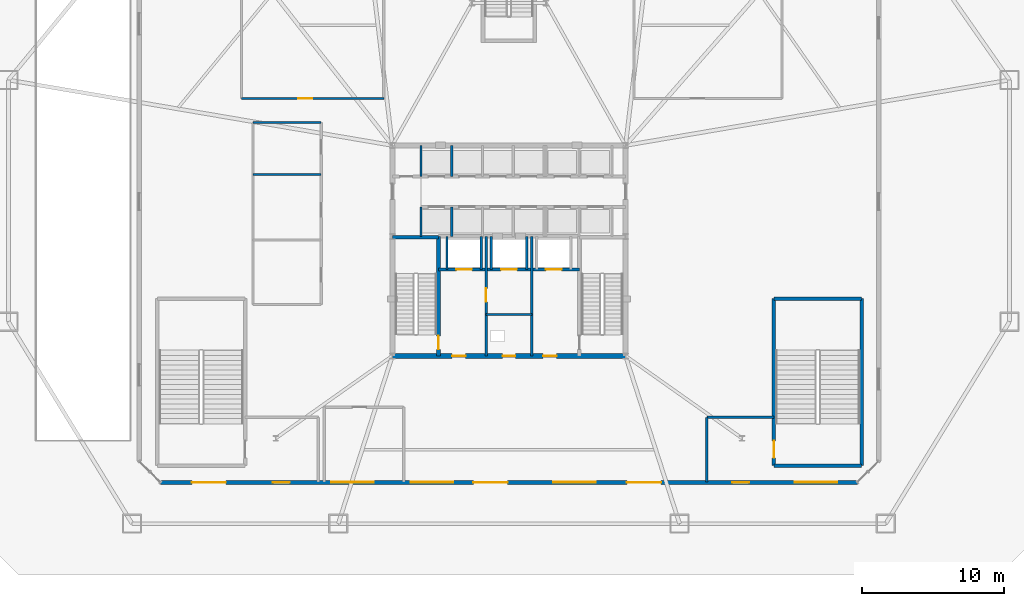
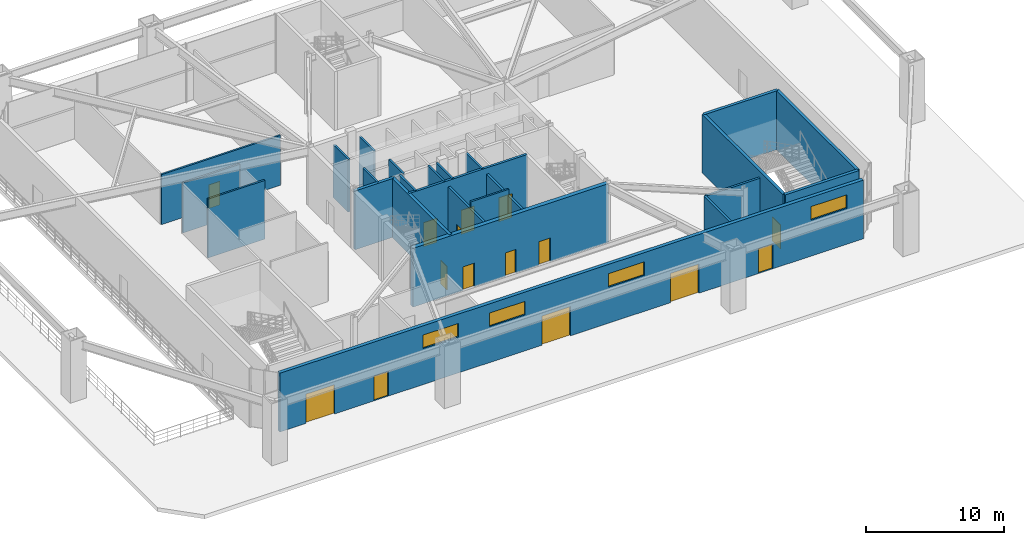
# One storey, part 15 of 20: 25 walls, 15 doors, 4 windows, 19 openings.
"""IFC4 building model written with IfcOpenShell, lengths in metres."""

from ifc_helpers import new_model, si_unit, direction, frame, frame_2d, origin, place, context, subcontext, project, spatial, rectangle, extrude, material, layer, layer_set, type_object, element, fill, save


model = new_model("IFC4")

# Units and contexts
model_context = context("Model", 3, precision=1e-05, world=origin(), true_north=direction((0.0, 1.0)))
body_context = subcontext(model_context, "Body", "Model", "MODEL_VIEW")
ifc_project = project(units=[si_unit("LENGTHUNIT", "METRE"), si_unit("AREAUNIT", "SQUARE_METRE"), si_unit("VOLUMEUNIT", "CUBIC_METRE"), si_unit("PLANEANGLEUNIT", "RADIAN"), si_unit("MASSUNIT", "GRAM", prefix="KILO")], contexts=[model_context])

# Site, building, storey
site_placement = place(None, origin())
site = spatial("IfcSite", under=ifc_project, at=site_placement, CompositionType="ELEMENT")
building_placement = place(site_placement, origin())
building = spatial("IfcBuilding", under=site, at=building_placement, Name="Varakhsha Concourse Tower", CompositionType="ELEMENT")
storey_placement = place(building_placement, origin())
storey = spatial("IfcBuildingStorey", under=building, at=storey_placement, Name="L01", CompositionType="ELEMENT", Elevation=0.0)

# Wall, openings, doors
ifc_material_1 = material(Name="Concrete fc 65 MPa", Category="concrete")
ifc_layer_1 = layer(ifc_material_1, 0.35009765625, Name="WL-CORE-350")
ifc_layer_set_1 = layer_set([ifc_layer_1], Name="Concrete fc 65 MPa")
wall_type_1 = type_object("IfcWallType", Name="WL-CORE-350", PredefinedType="SHEAR", material=ifc_layer_set_1)
wall_1_placement = place(storey_placement, frame((31.800048828125, 16.39990234375, 0.0), z_axis=(0.0, 0.0, 1.0), x_axis=(1.0, 0.0, 0.0)))
wall_1 = element("IfcWall", 1, at=wall_1_placement, inside=storey, type_object=wall_type_1, Name="L01 Wall CWALL-S-L01", PredefinedType="SHEAR", context=body_context, shape_type="SweptSolid", body=[
    extrude(rectangle(XDim=16.39990234375, YDim=0.35009765625, at=frame_2d((8.199951171875, 0.0))), origin(), (0.0, 0.0, 1.0), 5.219970703125),
])
opening_1_placement = place(wall_1_placement, frame((7.75, 0.0, 0.0)))
opening_1 = element("IfcOpeningElement", 2, at=opening_1_placement, cuts=wall_1, Name="Opening DF-06", PredefinedType="OPENING", context=body_context, shape_type="SweptSolid", body=[
    extrude(rectangle(XDim=0.89990234375, YDim=2.10009765625, at=frame_2d((0.449951171875, 1.050048828125))), frame((0.0, 0.18505859375, 0.0), z_axis=(0.0, -1.0, 0.0), x_axis=(1.0, 0.0, 0.0)), (0.0, 0.0, 1.0), 0.3701171875),
])
opening_2_placement = place(wall_1_placement, frame((4.199951171875, 0.0, 0.0)))
opening_2 = element("IfcOpeningElement", 3, at=opening_2_placement, cuts=wall_1, Name="Opening DF-05", PredefinedType="OPENING", context=body_context, shape_type="SweptSolid", body=[
    extrude(rectangle(XDim=0.949951171875, YDim=2.10009765625, at=frame_2d((0.47509765625, 1.050048828125))), frame((0.0, 0.18505859375, 0.0), z_axis=(0.0, -1.0, 0.0), x_axis=(1.0, 0.0, 0.0)), (0.0, 0.0, 1.0), 0.3701171875),
])
opening_3_placement = place(wall_1_placement, frame((10.60009765625, 0.0, 0.0)))
opening_3 = element("IfcOpeningElement", 4, at=opening_3_placement, cuts=wall_1, Name="Opening DF-05", PredefinedType="OPENING", context=body_context, shape_type="SweptSolid", body=[
    extrude(rectangle(XDim=0.949951171875, YDim=2.10009765625, at=frame_2d((0.47509765625, 1.050048828125))), frame((0.0, 0.18505859375, 0.0), z_axis=(0.0, -1.0, 0.0), x_axis=(1.0, 0.0, 0.0)), (0.0, 0.0, 1.0), 0.3701171875),
])
ifc_material_2 = material(Name="Hollow Galvanised Steel Fire Door Assembly", Category="steel")
door_type_1 = type_object("IfcDoorType", Name="DR-FD60-900", OperationType="NOTDEFINED", PredefinedType="DOOR", material=ifc_material_2)
door_1_placement = place(opening_1_placement, origin())
door_1 = element("IfcDoor", 5, at=door_1_placement, inside=storey, type_object=door_type_1, Name="L01 Electrical Riser Access Door", OperationType="SINGLE_SWING_LEFT", OverallHeight=2.10009765625, OverallWidth=0.89990234375, PredefinedType="DOOR", context=body_context, shape_type="SweptSolid", body=[
    extrude(rectangle(XDim=0.89990234375, YDim=2.10009765625, at=frame_2d((0.449951171875, 1.050048828125))), frame((0.0, 0.02490234375, 0.0), z_axis=(0.0, -1.0, 0.0), x_axis=(1.0, 0.0, 0.0)), (0.0, 0.0, 1.0), 0.050048828125),
])
fill(opening_1, door_1)
door_type_2 = type_object("IfcDoorType", Name="DR-FD60-950", OperationType="NOTDEFINED", PredefinedType="DOOR", material=ifc_material_2)
door_2_placement = place(opening_2_placement, origin())
door_2 = element("IfcDoor", 6, at=door_2_placement, inside=storey, type_object=door_type_2, Name="L01 Firefighting Lobby West Door", OperationType="SINGLE_SWING_RIGHT", OverallHeight=2.10009765625, OverallWidth=0.949951171875, PredefinedType="DOOR", context=body_context, shape_type="SweptSolid", body=[
    extrude(rectangle(XDim=0.949951171875, YDim=2.10009765625, at=frame_2d((0.47509765625, 1.050048828125))), frame((0.0, 0.02490234375, 0.0), z_axis=(0.0, -1.0, 0.0), x_axis=(1.0, 0.0, 0.0)), (0.0, 0.0, 1.0), 0.050048828125),
])
fill(opening_2, door_2)
door_3_placement = place(opening_3_placement, origin())
door_3 = element("IfcDoor", 7, at=door_3_placement, inside=storey, type_object=door_type_2, Name="L01 Firefighting Lobby East Door", OperationType="SINGLE_SWING_LEFT", OverallHeight=2.10009765625, OverallWidth=0.949951171875, PredefinedType="DOOR", context=body_context, shape_type="SweptSolid", body=[
    extrude(rectangle(XDim=0.949951171875, YDim=2.10009765625, at=frame_2d((0.47509765625, 1.050048828125))), frame((0.0, 0.02490234375, 0.0), z_axis=(0.0, -1.0, 0.0), x_axis=(1.0, 0.0, 0.0)), (0.0, 0.0, 1.0), 0.050048828125),
])
fill(opening_3, door_3)

# Wall, openings, doors, windows
ifc_material_3 = material(Name="Concrete fc 45 MPa", Category="concrete")
ifc_layer_2 = layer(ifc_material_3, 0.300048828125, Name="WL-EXT-POD-300")
ifc_layer_set_2 = layer_set([ifc_layer_2], Name="Concrete fc 45 MPa")
wall_type_2 = type_object("IfcWallType", Name="WL-EXT-POD-300", PredefinedType="STANDARD", material=ifc_layer_set_2)
wall_2_placement = place(storey_placement, frame((15.5, 7.5, 0.0), z_axis=(0.0, 0.0, 1.0), x_axis=(1.0, 0.0, 0.0)))
wall_2 = element("IfcWall", 8, at=wall_2_placement, inside=storey, type_object=wall_type_2, Name="L01 Concourse Architectural Wall 01", PredefinedType="STANDARD", context=body_context, shape_type="SweptSolid", body=[
    extrude(rectangle(XDim=49.0, YDim=0.300048828125, at=frame_2d((24.5, 0.0))), origin(), (0.0, 0.0, 1.0), 5.219970703125),
])
opening_4_placement = place(wall_2_placement, frame((2.199951171875, 0.0, 0.0)))
opening_4 = element("IfcOpeningElement", 9, at=opening_4_placement, cuts=wall_2, Name="Opening DE-01", PredefinedType="OPENING", context=body_context, shape_type="SweptSolid", body=[
    extrude(rectangle(XDim=2.39990234375, YDim=2.60009765625, at=frame_2d((1.199951171875, 1.300048828125))), frame((0.0, 0.159912109375, 0.0), z_axis=(0.0, -1.0, 0.0), x_axis=(1.0, 0.0, 0.0)), (0.0, 0.0, 1.0), 0.320068359375),
])
opening_5_placement = place(wall_2_placement, frame((22.0, 0.0, 0.0)))
opening_5 = element("IfcOpeningElement", 10, at=opening_5_placement, cuts=wall_2, Name="Opening DE-01", PredefinedType="OPENING", context=body_context, shape_type="SweptSolid", body=[
    extrude(rectangle(XDim=2.39990234375, YDim=2.60009765625, at=frame_2d((1.199951171875, 1.300048828125))), frame((0.0, 0.159912109375, 0.0), z_axis=(0.0, -1.0, 0.0), x_axis=(1.0, 0.0, 0.0)), (0.0, 0.0, 1.0), 0.320068359375),
])
opening_6_placement = place(wall_2_placement, frame((32.800048828125, 0.0, 0.0)))
opening_6 = element("IfcOpeningElement", 11, at=opening_6_placement, cuts=wall_2, Name="Opening DE-01", PredefinedType="OPENING", context=body_context, shape_type="SweptSolid", body=[
    extrude(rectangle(XDim=2.39990234375, YDim=2.60009765625, at=frame_2d((1.199951171875, 1.300048828125))), frame((0.0, 0.159912109375, 0.0), z_axis=(0.0, -1.0, 0.0), x_axis=(1.0, 0.0, 0.0)), (0.0, 0.0, 1.0), 0.320068359375),
])
opening_7_placement = place(wall_2_placement, frame((7.89990234375, 0.0, 0.0)))
opening_7 = element("IfcOpeningElement", 12, at=opening_7_placement, cuts=wall_2, Name="Opening DX-01", PredefinedType="OPENING", context=body_context, shape_type="SweptSolid", body=[
    extrude(rectangle(XDim=1.199951171875, YDim=2.199951171875, at=frame_2d((0.60009765625, 1.10009765625))), frame((0.0, 0.159912109375, 0.0), z_axis=(0.0, -1.0, 0.0), x_axis=(1.0, 0.0, 0.0)), (0.0, 0.0, 1.0), 0.320068359375),
])
opening_8_placement = place(wall_2_placement, frame((40.199951171875, 0.0, 0.0)))
opening_8 = element("IfcOpeningElement", 13, at=opening_8_placement, cuts=wall_2, Name="Opening DX-01", PredefinedType="OPENING", context=body_context, shape_type="SweptSolid", body=[
    extrude(rectangle(XDim=1.199951171875, YDim=2.199951171875, at=frame_2d((0.60009765625, 1.10009765625))), frame((0.0, 0.159912109375, 0.0), z_axis=(0.0, -1.0, 0.0), x_axis=(1.0, 0.0, 0.0)), (0.0, 0.0, 1.0), 0.320068359375),
])
opening_9_placement = place(wall_2_placement, frame((12.0, 0.0, 3.199951171875)))
opening_9 = element("IfcOpeningElement", 14, at=opening_9_placement, cuts=wall_2, Name="Opening W-05", PredefinedType="OPENING", context=body_context, shape_type="SweptSolid", body=[
    extrude(rectangle(XDim=3.0, YDim=1.199951171875, at=frame_2d((1.5, 0.60009765625))), frame((0.0, 0.159912109375, 0.0), z_axis=(0.0, -1.0, 0.0), x_axis=(1.0, 0.0, 0.0)), (0.0, 0.0, 1.0), 0.320068359375),
])
opening_10_placement = place(wall_2_placement, frame((17.60009765625, 0.0, 3.199951171875)))
opening_10 = element("IfcOpeningElement", 15, at=opening_10_placement, cuts=wall_2, Name="Opening W-05", PredefinedType="OPENING", context=body_context, shape_type="SweptSolid", body=[
    extrude(rectangle(XDim=3.0, YDim=1.199951171875, at=frame_2d((1.5, 0.60009765625))), frame((0.0, 0.159912109375, 0.0), z_axis=(0.0, -1.0, 0.0), x_axis=(1.0, 0.0, 0.0)), (0.0, 0.0, 1.0), 0.320068359375),
])
opening_11_placement = place(wall_2_placement, frame((27.60009765625, 0.0, 3.199951171875)))
opening_11 = element("IfcOpeningElement", 16, at=opening_11_placement, cuts=wall_2, Name="Opening W-05", PredefinedType="OPENING", context=body_context, shape_type="SweptSolid", body=[
    extrude(rectangle(XDim=3.0, YDim=1.199951171875, at=frame_2d((1.5, 0.60009765625))), frame((0.0, 0.159912109375, 0.0), z_axis=(0.0, -1.0, 0.0), x_axis=(1.0, 0.0, 0.0)), (0.0, 0.0, 1.0), 0.320068359375),
])
opening_12_placement = place(wall_2_placement, frame((44.60009765625, 0.0, 3.199951171875)))
opening_12 = element("IfcOpeningElement", 17, at=opening_12_placement, cuts=wall_2, Name="Opening W-05", PredefinedType="OPENING", context=body_context, shape_type="SweptSolid", body=[
    extrude(rectangle(XDim=3.0, YDim=1.199951171875, at=frame_2d((1.5, 0.60009765625))), frame((0.0, 0.159912109375, 0.0), z_axis=(0.0, -1.0, 0.0), x_axis=(1.0, 0.0, 0.0)), (0.0, 0.0, 1.0), 0.320068359375),
])
ifc_material_4 = material(Name="Anodised Bronze Architectural Aluminium AA 6063-T6", Category="aluminium")
door_type_3 = type_object("IfcDoorType", Name="DR-ENT-2400", OperationType="DOUBLE_DOOR_SINGLE_SWING", PredefinedType="DOOR", material=ifc_material_4)
door_4_placement = place(opening_4_placement, origin())
door_4 = element("IfcDoor", 18, at=door_4_placement, inside=storey, type_object=door_type_3, Name="L01 Concourse Main Entrance Double Door 1", OperationType="SINGLE_SWING_LEFT", OverallHeight=2.60009765625, OverallWidth=2.39990234375, PredefinedType="DOOR", context=body_context, shape_type="SweptSolid", body=[
    extrude(rectangle(XDim=2.39990234375, YDim=2.60009765625, at=frame_2d((1.199951171875, 1.300048828125))), frame((0.0, 0.02490234375, 0.0), z_axis=(0.0, -1.0, 0.0), x_axis=(1.0, 0.0, 0.0)), (0.0, 0.0, 1.0), 0.050048828125),
])
fill(opening_4, door_4)
door_5_placement = place(opening_5_placement, origin())
door_5 = element("IfcDoor", 19, at=door_5_placement, inside=storey, type_object=door_type_3, Name="L01 Concourse Main Entrance Double Door 2", OperationType="SINGLE_SWING_LEFT", OverallHeight=2.60009765625, OverallWidth=2.39990234375, PredefinedType="DOOR", context=body_context, shape_type="SweptSolid", body=[
    extrude(rectangle(XDim=2.39990234375, YDim=2.60009765625, at=frame_2d((1.199951171875, 1.300048828125))), frame((0.0, 0.02490234375, 0.0), z_axis=(0.0, -1.0, 0.0), x_axis=(1.0, 0.0, 0.0)), (0.0, 0.0, 1.0), 0.050048828125),
])
fill(opening_5, door_5)
door_6_placement = place(opening_6_placement, origin())
door_6 = element("IfcDoor", 20, at=door_6_placement, inside=storey, type_object=door_type_3, Name="L01 Concourse Main Entrance Double Door 3", OperationType="SINGLE_SWING_LEFT", OverallHeight=2.60009765625, OverallWidth=2.39990234375, PredefinedType="DOOR", context=body_context, shape_type="SweptSolid", body=[
    extrude(rectangle(XDim=2.39990234375, YDim=2.60009765625, at=frame_2d((1.199951171875, 1.300048828125))), frame((0.0, 0.02490234375, 0.0), z_axis=(0.0, -1.0, 0.0), x_axis=(1.0, 0.0, 0.0)), (0.0, 0.0, 1.0), 0.050048828125),
])
fill(opening_6, door_6)
door_type_4 = type_object("IfcDoorType", Name="DR-EXIT-1200", OperationType="NOTDEFINED", PredefinedType="DOOR", material=ifc_material_4)
door_7_placement = place(opening_7_placement, frame((1.199951171875, 0.0, 0.0), z_axis=(0.0, 0.0, 1.0), x_axis=(-1.0, 0.0, 0.0)))
door_7 = element("IfcDoor", 21, at=door_7_placement, inside=storey, type_object=door_type_4, Name="L01 Protected Exit Passageway ST3 Exterior Door", OperationType="SINGLE_SWING_LEFT", OverallHeight=2.199951171875, OverallWidth=1.199951171875, PredefinedType="DOOR", context=body_context, shape_type="SweptSolid", body=[
    extrude(rectangle(XDim=1.199951171875, YDim=2.199951171875, at=frame_2d((0.60009765625, 1.10009765625))), frame((0.0, 0.02490234375, 0.0), z_axis=(0.0, -1.0, 0.0), x_axis=(1.0, 0.0, 0.0)), (0.0, 0.0, 1.0), 0.050048828125),
])
fill(opening_7, door_7)
door_8_placement = place(opening_8_placement, frame((1.199951171875, 0.0, 0.0), z_axis=(0.0, 0.0, 1.0), x_axis=(-1.0, 0.0, 0.0)))
door_8 = element("IfcDoor", 22, at=door_8_placement, inside=storey, type_object=door_type_4, Name="L01 Protected Exit Passageway ST4 Exterior Door", OperationType="SINGLE_SWING_RIGHT", OverallHeight=2.199951171875, OverallWidth=1.199951171875, PredefinedType="DOOR", context=body_context, shape_type="SweptSolid", body=[
    extrude(rectangle(XDim=1.199951171875, YDim=2.199951171875, at=frame_2d((0.60009765625, 1.10009765625))), frame((0.0, 0.02490234375, 0.0), z_axis=(0.0, -1.0, 0.0), x_axis=(1.0, 0.0, 0.0)), (0.0, 0.0, 1.0), 0.050048828125),
])
fill(opening_8, door_8)
ifc_material_5 = material(Name="Low-E Triple Insulating Glass IGU 44 mm", Category="glass")
window_type = type_object("IfcWindowType", Name="WN-CLERESTORY-3000", PartitioningType="SINGLE_PANEL", PredefinedType="WINDOW", material=ifc_material_5)
window_1_placement = place(opening_9_placement, origin())
window_1 = element("IfcWindow", 23, at=window_1_placement, inside=storey, type_object=window_type, Name="L01 Concourse Clerestory Window 1", OverallHeight=1.199951171875, OverallWidth=3.0, PartitioningType="SINGLE_PANEL", PredefinedType="WINDOW", context=body_context, shape_type="SweptSolid", body=[
    extrude(rectangle(XDim=3.0, YDim=1.199951171875, at=frame_2d((1.5, 0.60009765625))), frame((0.0, 0.030029296875, 0.0), z_axis=(0.0, -1.0, 0.0), x_axis=(1.0, 0.0, 0.0)), (0.0, 0.0, 1.0), 0.06005859375),
])
fill(opening_9, window_1)
window_2_placement = place(opening_10_placement, origin())
window_2 = element("IfcWindow", 24, at=window_2_placement, inside=storey, type_object=window_type, Name="L01 Concourse Clerestory Window 2", OverallHeight=1.199951171875, OverallWidth=3.0, PartitioningType="SINGLE_PANEL", PredefinedType="WINDOW", context=body_context, shape_type="SweptSolid", body=[
    extrude(rectangle(XDim=3.0, YDim=1.199951171875, at=frame_2d((1.5, 0.60009765625))), frame((0.0, 0.030029296875, 0.0), z_axis=(0.0, -1.0, 0.0), x_axis=(1.0, 0.0, 0.0)), (0.0, 0.0, 1.0), 0.06005859375),
])
fill(opening_10, window_2)
window_3_placement = place(opening_11_placement, origin())
window_3 = element("IfcWindow", 25, at=window_3_placement, inside=storey, type_object=window_type, Name="L01 Concourse Clerestory Window 3", OverallHeight=1.199951171875, OverallWidth=3.0, PartitioningType="SINGLE_PANEL", PredefinedType="WINDOW", context=body_context, shape_type="SweptSolid", body=[
    extrude(rectangle(XDim=3.0, YDim=1.199951171875, at=frame_2d((1.5, 0.60009765625))), frame((0.0, 0.030029296875, 0.0), z_axis=(0.0, -1.0, 0.0), x_axis=(1.0, 0.0, 0.0)), (0.0, 0.0, 1.0), 0.06005859375),
])
fill(opening_11, window_3)
window_4_placement = place(opening_12_placement, origin())
window_4 = element("IfcWindow", 26, at=window_4_placement, inside=storey, type_object=window_type, Name="L01 Concourse Clerestory Window 4", OverallHeight=1.199951171875, OverallWidth=3.0, PartitioningType="SINGLE_PANEL", PredefinedType="WINDOW", context=body_context, shape_type="SweptSolid", body=[
    extrude(rectangle(XDim=3.0, YDim=1.199951171875, at=frame_2d((1.5, 0.60009765625))), frame((0.0, 0.030029296875, 0.0), z_axis=(0.0, -1.0, 0.0), x_axis=(1.0, 0.0, 0.0)), (0.0, 0.0, 1.0), 0.06005859375),
])
fill(opening_12, window_4)

# Wall, opening, door
ifc_material_6 = material(Name="Fire-Rated Type X Gypsum Partition Assembly", Category="gypsum")
ifc_layer_3 = layer(ifc_material_6, 0.179931640625, Name="WL-FFLOB-180")
ifc_layer_set_3 = layer_set([ifc_layer_3], Name="Fire-Rated Type X Gypsum Partition Assembly")
wall_type_3 = type_object("IfcWallType", Name="WL-FFLOB-180", PredefinedType="PARTITIONING", material=ifc_layer_set_3)
wall_3_placement = place(storey_placement, frame((38.389892578125, 16.39990234375, 0.0), z_axis=(0.0, 0.0, 1.0), x_axis=(0.0, 1.0, 0.0)))
wall_3 = element("IfcWall", 27, at=wall_3_placement, inside=storey, type_object=wall_type_3, Name="L01 Wall FFW-1E-L01", PredefinedType="PARTITIONING", context=body_context, shape_type="SweptSolid", body=[
    extrude(rectangle(XDim=8.400146484375, YDim=0.179931640625, at=frame_2d((4.2001953125, 0.0))), origin(), (0.0, 0.0, 1.0), 4.6708984375),
])
opening_13_placement = place(wall_3_placement, frame((3.800048828125, 0.0, 0.0)))
opening_13 = element("IfcOpeningElement", 28, at=opening_13_placement, cuts=wall_3, Name="Opening DF-05", PredefinedType="OPENING", context=body_context, shape_type="SweptSolid", body=[
    extrude(rectangle(XDim=0.949951171875, YDim=2.10009765625, at=frame_2d((0.47509765625, 1.050048828125))), frame((0.0, 0.099853515625, 0.0), z_axis=(0.0, -1.0, 0.0), x_axis=(1.0, 0.0, 0.0)), (0.0, 0.0, 1.0), 0.199951171875),
])
door_9_placement = place(opening_13_placement, origin())
door_9 = element("IfcDoor", 29, at=door_9_placement, inside=storey, type_object=door_type_2, Name="L01 Service Vestibule Door", OperationType="SINGLE_SWING_RIGHT", OverallHeight=2.10009765625, OverallWidth=0.949951171875, PredefinedType="DOOR", context=body_context, shape_type="SweptSolid", body=[
    extrude(rectangle(XDim=0.949951171875, YDim=2.10009765625, at=frame_2d((0.47509765625, 1.050048828125))), frame((0.0, 0.02490234375, 0.0), z_axis=(0.0, -1.0, 0.0), x_axis=(1.0, 0.0, 0.0)), (0.0, 0.0, 1.0), 0.050048828125),
])
fill(opening_13, door_9)

# Walls
wall_4_placement = place(storey_placement, frame((41.610107421875, 16.39990234375, 0.0), z_axis=(0.0, 0.0, 1.0), x_axis=(0.0, 1.0, 0.0)))
element("IfcWall", 30, at=wall_4_placement, inside=storey, type_object=wall_type_3, Name="L01 Wall FFW-2W-L01", PredefinedType="PARTITIONING", context=body_context, shape_type="SweptSolid", body=[
    extrude(rectangle(XDim=8.400146484375, YDim=0.179931640625, at=frame_2d((4.2001953125, 0.0))), origin(), (0.0, 0.0, 1.0), 4.6708984375),
])
ifc_layer_4 = layer(ifc_material_6, 0.14990234375, Name="WL-PART-150")
ifc_layer_set_4 = layer_set([ifc_layer_4], Name="Fire-Rated Type X Gypsum Partition Assembly")
wall_type_4 = type_object("IfcWallType", Name="WL-PART-150", PredefinedType="PARTITIONING", material=ifc_layer_set_4)
wall_5_placement = place(storey_placement, frame((38.389892578125, 19.300048828125, 0.0), z_axis=(0.0, 0.0, 1.0), x_axis=(1.0, 0.0, 0.0)))
element("IfcWall", 31, at=wall_5_placement, inside=storey, type_object=wall_type_4, Name="L01 Wall RSW-H-L01", PredefinedType="PARTITIONING", context=body_context, shape_type="SweptSolid", body=[
    extrude(rectangle(XDim=3.22021484375, YDim=0.14990234375, at=frame_2d((1.610107421875, 0.0))), origin(), (0.0, 0.0, 1.0), 5.219970703125),
])
wall_6_placement = place(storey_placement, frame((22.0, 29.14990234375, 0.0), z_axis=(0.0, 0.0, 1.0), x_axis=(1.0, 0.0, 0.0)))
element("IfcWall", 32, at=wall_6_placement, inside=storey, type_object=wall_type_4, Name="L01 Wall L01-WCW-D2", PredefinedType="PARTITIONING", context=body_context, shape_type="SweptSolid", body=[
    extrude(rectangle(XDim=4.800048828125, YDim=0.14990234375, at=frame_2d((2.39990234375, 0.0))), origin(), (0.0, 0.0, 1.0), 5.219970703125),
])
wall_7_placement = place(storey_placement, frame((22.0, 32.800048828125, 0.0), z_axis=(0.0, 0.0, 1.0), x_axis=(1.0, 0.0, 0.0)))
element("IfcWall", 33, at=wall_7_placement, inside=storey, type_object=wall_type_4, Name="L01 Wall L01W-WC-N", PredefinedType="PARTITIONING", context=body_context, shape_type="SweptSolid", body=[
    extrude(rectangle(XDim=4.800048828125, YDim=0.14990234375, at=frame_2d((2.39990234375, 0.0))), origin(), (0.0, 0.0, 1.0), 4.430908203125),
])

# Wall, opening, door
wall_8_placement = place(storey_placement, frame((21.199951171875, 34.5, 0.0), z_axis=(0.0, 0.0, 1.0), x_axis=(1.0, 0.0, 0.0)))
wall_8 = element("IfcWall", 34, at=wall_8_placement, inside=storey, type_object=wall_type_4, Name="L01 Wall L01W-RET1-A", PredefinedType="PARTITIONING", context=body_context, shape_type="SweptSolid", body=[
    extrude(rectangle(XDim=10.0, YDim=0.14990234375, at=frame_2d((5.0, 0.0))), origin(), (0.0, 0.0, 1.0), 4.430908203125),
])
opening_14_placement = place(wall_8_placement, frame((4.0, 0.0, 0.0)))
opening_14 = element("IfcOpeningElement", 35, at=opening_14_placement, cuts=wall_8, Name="Opening DF-05", PredefinedType="OPENING", context=body_context, shape_type="SweptSolid", body=[
    extrude(rectangle(XDim=0.949951171875, YDim=2.10009765625, at=frame_2d((0.47509765625, 1.050048828125))), frame((0.0, 0.0849609375, 0.0), z_axis=(0.0, -1.0, 0.0), x_axis=(1.0, 0.0, 0.0)), (0.0, 0.0, 1.0), 0.169921875),
])
door_10_placement = place(opening_14_placement, origin())
door_10 = element("IfcDoor", 36, at=door_10_placement, inside=storey, type_object=door_type_2, Name="L01 Silk Road Artisan Retail Pavilion Door", OperationType="SINGLE_SWING_LEFT", OverallHeight=2.10009765625, OverallWidth=0.949951171875, PredefinedType="DOOR", context=body_context, shape_type="SweptSolid", body=[
    extrude(rectangle(XDim=0.949951171875, YDim=2.10009765625, at=frame_2d((0.47509765625, 1.050048828125))), frame((0.0, 0.02490234375, 0.0), z_axis=(0.0, -1.0, 0.0), x_axis=(1.0, 0.0, 0.0)), (0.0, 0.0, 1.0), 0.050048828125),
])
fill(opening_14, door_10)

# Walls
ifc_layer_5 = layer(ifc_material_6, 0.179931640625, Name="WL-PART-180")
ifc_layer_set_5 = layer_set([ifc_layer_5], Name="Fire-Rated Type X Gypsum Partition Assembly")
wall_type_5 = type_object("IfcWallType", Name="WL-PART-180", PredefinedType="PARTITIONING", material=ifc_layer_set_5)
wall_9_placement = place(storey_placement, frame((53.919921875, 12.080078125, 0.0), z_axis=(0.0, 0.0, 1.0), x_axis=(1.0, 0.0, 0.0)))
element("IfcWall", 37, at=wall_9_placement, inside=storey, type_object=wall_type_5, Name="L01 Wall EP4W-N-L01", PredefinedType="PARTITIONING", context=body_context, shape_type="SweptSolid", body=[
    extrude(rectangle(XDim=4.715087890625, YDim=0.179931640625, at=frame_2d((2.357421875, 0.0))), origin(), (0.0, 0.0, 1.0), 4.6708984375),
])
wall_10_placement = place(storey_placement, frame((53.919921875, 7.5400390625, 0.0), z_axis=(0.0, 0.0, 1.0), x_axis=(0.0, 1.0, 0.0)))
element("IfcWall", 38, at=wall_10_placement, inside=storey, type_object=wall_type_5, Name="L01 Wall EP4W-W-L01", PredefinedType="PARTITIONING", context=body_context, shape_type="SweptSolid", body=[
    extrude(rectangle(XDim=4.5400390625, YDim=0.179931640625, at=frame_2d((2.27001953125, 0.0))), origin(), (0.0, 0.0, 1.0), 4.6708984375),
])

# Wall, openings, doors
ifc_layer_6 = layer(ifc_material_6, 0.199951171875, Name="WL-SHAFT-220")
ifc_layer_set_6 = layer_set([ifc_layer_6], Name="Fire-Rated Type X Gypsum Partition Assembly")
wall_type_6 = type_object("IfcWallType", Name="WL-SHAFT-220", PredefinedType="SOLIDWALL", material=ifc_layer_set_6)
wall_11_placement = place(storey_placement, frame((35.044921875, 22.47998046875, 0.0), z_axis=(0.0, 0.0, 1.0), x_axis=(1.0, 0.0, 0.0)))
wall_11 = element("IfcWall", 39, at=wall_11_placement, inside=storey, type_object=wall_type_6, Name="L01 Wall FFW-NH-L01", PredefinedType="SOLIDWALL", context=body_context, shape_type="SweptSolid", body=[
    extrude(rectangle(XDim=9.91015625, YDim=0.199951171875, at=frame_2d((4.955078125, 0.0))), origin(), (0.0, 0.0, 1.0), 5.219970703125),
])
opening_15_placement = place(wall_11_placement, frame((1.2548828125, 0.0, 0.0)))
opening_15 = element("IfcOpeningElement", 40, at=opening_15_placement, cuts=wall_11, Name="Opening LD-FFL-1", PredefinedType="OPENING", context=body_context, shape_type="SweptSolid", body=[
    extrude(rectangle(XDim=1.10009765625, YDim=2.14990234375, at=frame_2d((0.550048828125, 1.074951171875))), frame((0.0, 0.10986328125, 0.0), z_axis=(0.0, -1.0, 0.0), x_axis=(1.0, 0.0, 0.0)), (0.0, 0.0, 1.0), 0.219970703125),
])
opening_16_placement = place(wall_11_placement, frame((7.554931640625, 0.0, 0.0)))
opening_16 = element("IfcOpeningElement", 41, at=opening_16_placement, cuts=wall_11, Name="Opening LD-FFL-2", PredefinedType="OPENING", context=body_context, shape_type="SweptSolid", body=[
    extrude(rectangle(XDim=1.10009765625, YDim=2.14990234375, at=frame_2d((0.550048828125, 1.074951171875))), frame((0.0, 0.10986328125, 0.0), z_axis=(0.0, -1.0, 0.0), x_axis=(1.0, 0.0, 0.0)), (0.0, 0.0, 1.0), 0.219970703125),
])
opening_17_placement = place(wall_11_placement, frame((4.405029296875, 0.0, 0.0)))
opening_17 = element("IfcOpeningElement", 42, at=opening_17_placement, cuts=wall_11, Name="Opening LD-SVL-1", PredefinedType="OPENING", context=body_context, shape_type="SweptSolid", body=[
    extrude(rectangle(XDim=1.10009765625, YDim=2.14990234375, at=frame_2d((0.550048828125, 1.074951171875))), frame((0.0, 0.10986328125, 0.0), z_axis=(0.0, -1.0, 0.0), x_axis=(1.0, 0.0, 0.0)), (0.0, 0.0, 1.0), 0.219970703125),
])
ifc_material_7 = material(Name="Brushed Austenitic Stainless Steel AISI 316", Category="steel")
door_type_5 = type_object("IfcDoorType", Name="DR-LD-1100", OperationType="DOUBLE_DOOR_SLIDING", PredefinedType="DOOR", material=ifc_material_7)
door_11_placement = place(opening_15_placement, origin())
door_11 = element("IfcDoor", 43, at=door_11_placement, inside=storey, type_object=door_type_5, Name="Lift Landing Door FFL-1 L01", OperationType="DOUBLE_DOOR_SLIDING", OverallHeight=2.14990234375, OverallWidth=1.10009765625, PredefinedType="DOOR", context=body_context, shape_type="SweptSolid", body=[
    extrude(rectangle(XDim=1.10009765625, YDim=2.14990234375, at=frame_2d((0.550048828125, 1.074951171875))), frame((0.0, 0.02490234375, 0.0), z_axis=(0.0, -1.0, 0.0), x_axis=(1.0, 0.0, 0.0)), (0.0, 0.0, 1.0), 0.050048828125),
])
fill(opening_15, door_11)
door_12_placement = place(opening_16_placement, origin())
door_12 = element("IfcDoor", 44, at=door_12_placement, inside=storey, type_object=door_type_5, Name="Lift Landing Door FFL-2 L01", OperationType="DOUBLE_DOOR_SLIDING", OverallHeight=2.14990234375, OverallWidth=1.10009765625, PredefinedType="DOOR", context=body_context, shape_type="SweptSolid", body=[
    extrude(rectangle(XDim=1.10009765625, YDim=2.14990234375, at=frame_2d((0.550048828125, 1.074951171875))), frame((0.0, 0.02490234375, 0.0), z_axis=(0.0, -1.0, 0.0), x_axis=(1.0, 0.0, 0.0)), (0.0, 0.0, 1.0), 0.050048828125),
])
fill(opening_16, door_12)
door_13_placement = place(opening_17_placement, origin())
door_13 = element("IfcDoor", 45, at=door_13_placement, inside=storey, type_object=door_type_5, Name="Lift Landing Door SVL-1 L01", OperationType="DOUBLE_DOOR_SLIDING", OverallHeight=2.14990234375, OverallWidth=1.10009765625, PredefinedType="DOOR", context=body_context, shape_type="SweptSolid", body=[
    extrude(rectangle(XDim=1.10009765625, YDim=2.14990234375, at=frame_2d((0.550048828125, 1.074951171875))), frame((0.0, 0.02490234375, 0.0), z_axis=(0.0, -1.0, 0.0), x_axis=(1.0, 0.0, 0.0)), (0.0, 0.0, 1.0), 0.050048828125),
])
fill(opening_17, door_13)

# Walls
for number, where, z_axis, x_axis, name in (
    (46, (35.64990234375, 22.47998046875, 0.0), (0.0, 0.0, 1.0), (0.0, 1.0, 0.0), "L01 Wall SHW-FFL-1-W-L01"),
    (47, (38.050048828125, 22.47998046875, 0.0), (0.0, 0.0, 1.0), (0.0, 1.0, 0.0), "L01 Wall SHW-FFL-1-E-L01"),
    (48, (38.75, 22.47998046875, 0.0), (0.0, 0.0, 1.0), (0.0, 1.0, 0.0), "L01 Wall SHW-SVL-1-W-L01"),
    (49, (41.25, 22.47998046875, 0.0), (0.0, 0.0, 1.0), (0.0, 1.0, 0.0), "L01 Wall SHW-SVL-1-E-L01"),
):
    element("IfcWall", number, at=place(storey_placement, frame(where, z_axis=z_axis, x_axis=x_axis)), inside=storey, type_object=wall_type_6, Name=name, PredefinedType="SOLIDWALL", context=body_context, shape_type="SweptSolid", body=[
        extrude(rectangle(XDim=2.320068359375, YDim=0.159912109375, at=frame_2d((1.16015625, 0.0))), origin(), (0.0, 0.0, 1.0), 5.219970703125),
    ])
wall_12_placement = place(storey_placement, frame((33.820068359375, 29.02001953125, 0.0), z_axis=(0.0, 0.0, 1.0), x_axis=(0.0, 1.0, 0.0)))
element("IfcWall", 50, at=wall_12_placement, inside=storey, type_object=wall_type_6, Name="L01 Wall WBOH-E1-L01", PredefinedType="SOLIDWALL", context=body_context, shape_type="SweptSolid", body=[
    extrude(rectangle(XDim=2.179931640625, YDim=0.159912109375, at=frame_2d((1.08984375, 0.0))), origin(), (0.0, 0.0, 1.0), 4.6708984375),
])
wall_13_placement = place(storey_placement, frame((33.820068359375, 24.800048828125, 0.0), z_axis=(0.0, 0.0, 1.0), x_axis=(0.0, 1.0, 0.0)))
element("IfcWall", 51, at=wall_13_placement, inside=storey, type_object=wall_type_6, Name="L01 Wall WBOH-E2-L01", PredefinedType="SOLIDWALL", context=body_context, shape_type="SweptSolid", body=[
    extrude(rectangle(XDim=2.079833984375, YDim=0.159912109375, at=frame_2d((1.0400390625, 0.0))), origin(), (0.0, 0.0, 1.0), 5.219970703125),
])
wall_14_placement = place(storey_placement, frame((35.97998046875, 29.02001953125, 0.0), z_axis=(0.0, 0.0, 1.0), x_axis=(0.0, 1.0, 0.0)))
element("IfcWall", 52, at=wall_14_placement, inside=storey, type_object=wall_type_6, Name="L01 Wall SHW-LF-P01-E-L01", PredefinedType="SOLIDWALL", context=body_context, shape_type="SweptSolid", body=[
    extrude(rectangle(XDim=2.179931640625, YDim=0.159912109375, at=frame_2d((1.08984375, 0.0))), origin(), (0.0, 0.0, 1.0), 4.6708984375),
])
wall_15_placement = place(storey_placement, frame((35.97998046875, 24.800048828125, 0.0), z_axis=(0.0, 0.0, 1.0), x_axis=(0.0, 1.0, 0.0)))
element("IfcWall", 53, at=wall_15_placement, inside=storey, type_object=wall_type_6, Name="L01 Wall SHW-LF-P05-E-L01", PredefinedType="SOLIDWALL", context=body_context, shape_type="SweptSolid", body=[
    extrude(rectangle(XDim=2.079833984375, YDim=0.159912109375, at=frame_2d((1.0400390625, 0.0))), origin(), (0.0, 0.0, 1.0), 5.219970703125),
])

# Wall, opening, door
ifc_layer_7 = layer(ifc_material_3, 0.25, Name="WL-STAIR-250")
ifc_layer_set_7 = layer_set([ifc_layer_7], Name="Concrete fc 45 MPa")
wall_type_7 = type_object("IfcWallType", Name="WL-STAIR-250", PredefinedType="SHEAR", material=ifc_layer_set_7)
wall_16_placement = place(storey_placement, frame((35.044921875, 16.39990234375, 0.0), z_axis=(0.0, 0.0, 1.0), x_axis=(0.0, 1.0, 0.0)))
wall_16 = element("IfcWall", 54, at=wall_16_placement, inside=storey, type_object=wall_type_7, Name="L01 Wall SWALL-ST1-E-L01", PredefinedType="SHEAR", context=body_context, shape_type="SweptSolid", body=[
    extrude(rectangle(XDim=8.400146484375, YDim=0.25, at=frame_2d((4.2001953125, 0.0))), origin(), (0.0, 0.0, 1.0), 5.219970703125),
])
opening_18_placement = place(wall_16_placement, frame((0.449951171875, 0.0, 0.0)))
opening_18 = element("IfcOpeningElement", 55, at=opening_18_placement, cuts=wall_16, Name="Opening DF-03", PredefinedType="OPENING", context=body_context, shape_type="SweptSolid", body=[
    extrude(rectangle(XDim=0.949951171875, YDim=2.10009765625, at=frame_2d((0.47509765625, 1.050048828125))), frame((0.0, 0.135009765625, 0.0), z_axis=(0.0, -1.0, 0.0), x_axis=(1.0, 0.0, 0.0)), (0.0, 0.0, 1.0), 0.27001953125),
])
door_type_6 = type_object("IfcDoorType", Name="DR-FD90-950", OperationType="NOTDEFINED", PredefinedType="DOOR", material=ifc_material_2)
door_14_placement = place(opening_18_placement, origin())
door_14 = element("IfcDoor", 56, at=door_14_placement, inside=storey, type_object=door_type_6, Name="L01 Stair ST1 Fire Door", OperationType="SINGLE_SWING_LEFT", OverallHeight=2.10009765625, OverallWidth=0.949951171875, PredefinedType="DOOR", context=body_context, shape_type="SweptSolid", body=[
    extrude(rectangle(XDim=0.949951171875, YDim=2.10009765625, at=frame_2d((0.47509765625, 1.050048828125))), frame((0.0, 0.02490234375, 0.0), z_axis=(0.0, -1.0, 0.0), x_axis=(1.0, 0.0, 0.0)), (0.0, 0.0, 1.0), 0.050048828125),
])
fill(opening_18, door_14)

# Walls
wall_17_placement = place(storey_placement, frame((31.800048828125, 24.7548828125, 0.0), z_axis=(0.0, 0.0, 1.0), x_axis=(1.0, 0.0, 0.0)))
element("IfcWall", 57, at=wall_17_placement, inside=storey, type_object=wall_type_7, Name="L01 Wall SWALL-ST1-N-L01", PredefinedType="SHEAR", context=body_context, shape_type="SweptSolid", body=[
    extrude(rectangle(XDim=3.244873046875, YDim=0.25, at=frame_2d((1.62255859375, 0.0))), origin(), (0.0, 0.0, 1.0), 5.219970703125),
])
for number, where, z_axis, x_axis, name in (
    (58, (58.635009765625, 20.425048828125, 0.0), (0.0, 0.0, 1.0), (1.0, 0.0, 0.0), "L01 Wall ST4W-N-L01"),
    (59, (58.635009765625, 8.675048828125, 0.0), (0.0, 0.0, 1.0), (1.0, 0.0, 0.0), "L01 Wall ST4W-S-L01"),
):
    element("IfcWall", number, at=place(storey_placement, frame(where, z_axis=z_axis, x_axis=x_axis)), inside=storey, type_object=wall_type_7, Name=name, PredefinedType="SHEAR", context=body_context, shape_type="SweptSolid", body=[
        extrude(rectangle(XDim=6.169921875, YDim=0.25, at=frame_2d((3.0849609375, 0.0))), origin(), (0.0, 0.0, 1.0), 5.219970703125),
    ])

# Wall, opening, door
wall_18_placement = place(storey_placement, frame((58.635009765625, 8.675048828125, 0.0), z_axis=(0.0, 0.0, 1.0), x_axis=(0.0, 1.0, 0.0)))
wall_18 = element("IfcWall", 60, at=wall_18_placement, inside=storey, type_object=wall_type_7, Name="L01 Wall ST4W-W-L01", PredefinedType="SHEAR", context=body_context, shape_type="SweptSolid", body=[
    extrude(rectangle(XDim=11.75, YDim=0.25, at=frame_2d((5.875, 0.0))), origin(), (0.0, 0.0, 1.0), 5.219970703125),
])
opening_19_placement = place(wall_18_placement, frame((0.550048828125, 0.0, 0.0)))
opening_19 = element("IfcOpeningElement", 61, at=opening_19_placement, cuts=wall_18, Name="Opening DF-01", PredefinedType="OPENING", context=body_context, shape_type="SweptSolid", body=[
    extrude(rectangle(XDim=1.199951171875, YDim=2.14990234375, at=frame_2d((0.60009765625, 1.074951171875))), frame((0.0, 0.135009765625, 0.0), z_axis=(0.0, -1.0, 0.0), x_axis=(1.0, 0.0, 0.0)), (0.0, 0.0, 1.0), 0.27001953125),
])
door_type_7 = type_object("IfcDoorType", Name="DR-FD90-1200", OperationType="NOTDEFINED", PredefinedType="DOOR", material=ifc_material_2)
door_15_placement = place(opening_19_placement, origin())
door_15 = element("IfcDoor", 62, at=door_15_placement, inside=storey, type_object=door_type_7, Name="L01 Stair ST4 Discharge Door", OperationType="SINGLE_SWING_RIGHT", OverallHeight=2.14990234375, OverallWidth=1.199951171875, PredefinedType="DOOR", context=body_context, shape_type="SweptSolid", body=[
    extrude(rectangle(XDim=1.199951171875, YDim=2.14990234375, at=frame_2d((0.60009765625, 1.074951171875))), frame((0.0, 0.02490234375, 0.0), z_axis=(0.0, -1.0, 0.0), x_axis=(1.0, 0.0, 0.0)), (0.0, 0.0, 1.0), 0.050048828125),
])
fill(opening_19, door_15)

# Wall
wall_19_placement = place(storey_placement, frame((64.804931640625, 8.675048828125, 0.0), z_axis=(0.0, 0.0, 1.0), x_axis=(0.0, 1.0, 0.0)))
element("IfcWall", 63, at=wall_19_placement, inside=storey, type_object=wall_type_7, Name="L01 Wall ST4W-E-L01", PredefinedType="SHEAR", context=body_context, shape_type="SweptSolid", body=[
    extrude(rectangle(XDim=11.75, YDim=0.25, at=frame_2d((5.875, 0.0))), origin(), (0.0, 0.0, 1.0), 5.219970703125),
])

save(model, "model.ifc")
